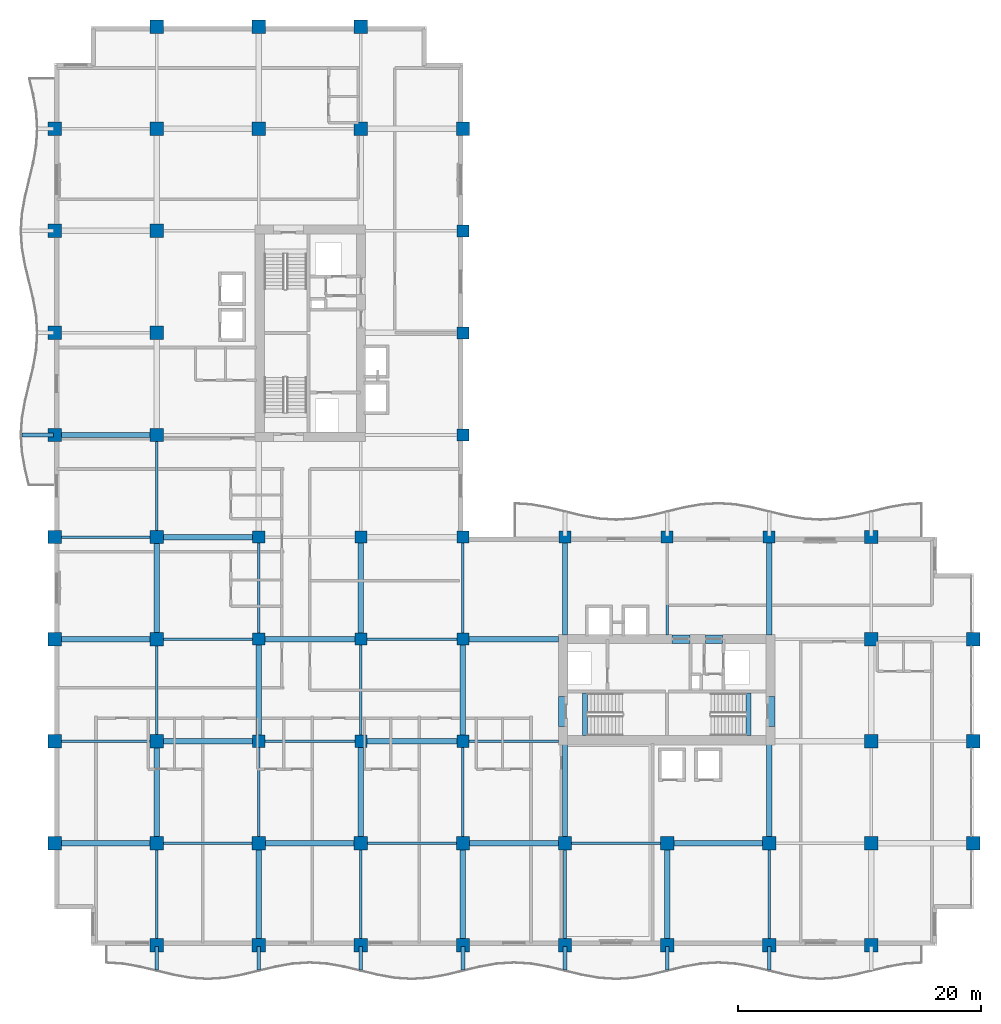
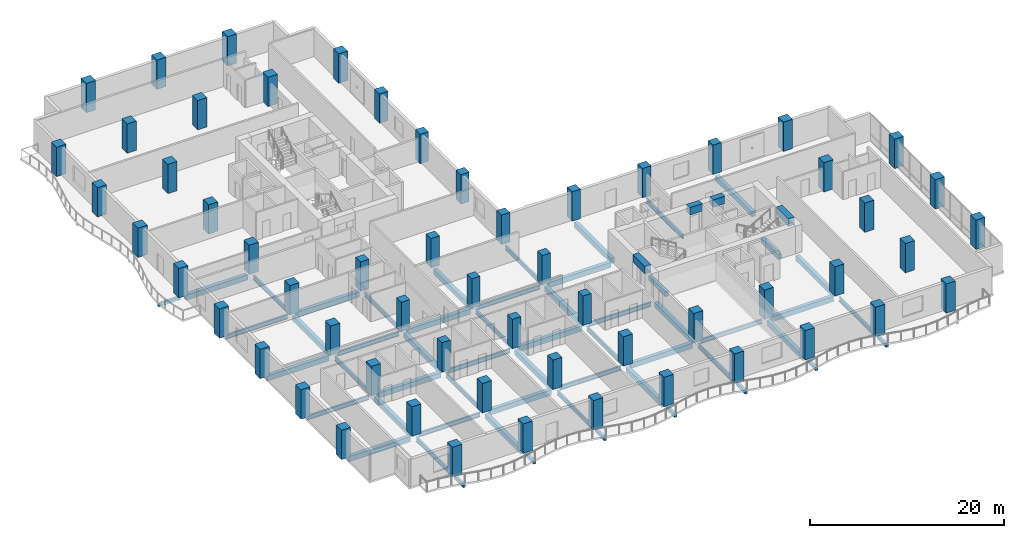
# One storey, part 1 of 22: 59 beams, 58 columns.
"""IFC4 building model written with IfcOpenShell, lengths in metres."""

from ifc_helpers import new_model, si_unit, direction, frame, origin, origin_2d, place, context, subcontext, project, spatial, rectangle, i_section, extrude, material, material_profile, profile_set, type_object, element, save


model = new_model("IFC4")

# Units and contexts
model_context = context("Model", 3, precision=1e-05, world=origin(), true_north=direction((0.0, 1.0)))
body_context = subcontext(model_context, "Body", "Model", "MODEL_VIEW")
ifc_project = project(units=[si_unit("LENGTHUNIT", "METRE"), si_unit("AREAUNIT", "SQUARE_METRE"), si_unit("VOLUMEUNIT", "CUBIC_METRE"), si_unit("PLANEANGLEUNIT", "RADIAN"), si_unit("MASSUNIT", "GRAM", prefix="KILO")], contexts=[model_context])

# Site, building, storey
site_placement = place(None, origin())
site = spatial("IfcSite", under=ifc_project, at=site_placement, CompositionType="ELEMENT")
building_placement = place(site_placement, origin())
building = spatial("IfcBuilding", under=site, at=building_placement, Name="Koriwani Terraces Tower", CompositionType="ELEMENT")
storey_placement = place(building_placement, frame((0.0, 0.0, 168.0)))
storey = spatial("IfcBuildingStorey", under=building, at=storey_placement, Name="L40", CompositionType="ELEMENT", Elevation=168.0)

# Columns
ifc_material_1 = material(Name="Concrete C50/60", Category="concrete")
ifc_material_profile_1 = material_profile(ifc_material_1, rectangle(XDim=1.0, YDim=1.0, at=origin_2d()), Name="Concrete C50/60", Category="LoadBearing")
ifc_profile_set_1 = profile_set([ifc_material_profile_1], Name="Concrete C50/60")
column_type_1 = type_object("IfcColumnType", Name="COL_RC_1000X1000", PredefinedType="COLUMN", material=ifc_profile_set_1)
for number, where, z_axis, x_axis, name in (
    (1, (16.800048828125, 16.800048828125, 0.0), (0.0, 0.0, 1.0), (1.0, 0.0, 0.0), "L40 Column 3/C"),
    (2, (16.800048828125, 25.199951171875, 0.0), (0.0, 0.0, 1.0), (1.0, 0.0, 0.0), "L40 Column 3/D"),
    (3, (16.800048828125, 33.60009765625, 0.0), (0.0, 0.0, 1.0), (1.0, 0.0, 0.0), "L40 Column 3/E"),
    (4, (25.199951171875, 16.800048828125, 0.0), (0.0, 0.0, 1.0), (1.0, 0.0, 0.0), "L40 Column 4/C"),
    (5, (25.199951171875, 25.199951171875, 0.0), (0.0, 0.0, 1.0), (1.0, 0.0, 0.0), "L40 Column 4/D"),
    (6, (25.199951171875, 33.60009765625, 0.0), (0.0, 0.0, 1.0), (1.0, 0.0, 0.0), "L40 Column 4/E"),
    (7, (33.60009765625, 16.800048828125, 0.0), (0.0, 0.0, 1.0), (1.0, 0.0, 0.0), "L40 Column 5/C"),
    (8, (33.60009765625, 25.199951171875, 0.0), (0.0, 0.0, 1.0), (1.0, 0.0, 0.0), "L40 Column 5/D"),
    (9, (33.60009765625, 33.60009765625, 0.0), (0.0, 0.0, 1.0), (1.0, 0.0, 0.0), "L40 Column 5/E"),
    (10, (33.60009765625, 42.0, 0.0), (0.0, 0.0, 1.0), (1.0, 0.0, 0.0), "L40 Column 5/F"),
    (11, (33.60009765625, 50.39990234375, 0.0), (0.0, 0.0, 1.0), (1.0, 0.0, 0.0), "L40 Column 5/G"),
    (12, (33.60009765625, 58.800048828125, 0.0), (0.0, 0.0, 1.0), (1.0, 0.0, 0.0), "L40 Column 5/H"),
    (13, (42.0, 33.60009765625, 0.0), (0.0, 0.0, 1.0), (1.0, 0.0, 0.0), "L40 Column 6/E"),
    (14, (50.39990234375, 33.60009765625, 0.0), (0.0, 0.0, 1.0), (1.0, 0.0, 0.0), "L40 Column 7/E"),
    (15, (58.800048828125, 33.60009765625, 0.0), (0.0, 0.0, 1.0), (1.0, 0.0, 0.0), "L40 Column 8/E"),
):
    element("IfcColumn", number, at=place(storey_placement, frame(where, z_axis=z_axis, x_axis=x_axis)), inside=storey, type_object=column_type_1, Name=name, PredefinedType="COLUMN", context=body_context, shape_type="SweptSolid", body=[
        extrude(rectangle(XDim=1.0, YDim=1.0, at=origin_2d()), origin(), (0.0, 0.0, 1.0), 3.699951171875),
    ])
ifc_material_profile_2 = material_profile(ifc_material_1, rectangle(XDim=1.10009765625, YDim=1.10009765625, at=origin_2d()), Name="Concrete C50/60", Category="LoadBearing")
ifc_profile_set_2 = profile_set([ifc_material_profile_2], Name="Concrete C50/60")
column_type_2 = type_object("IfcColumnType", Name="COL_RC_1100X1100", PredefinedType="COLUMN", material=ifc_profile_set_2)
for number, where, z_axis, x_axis, name in (
    (16, (0.0, 8.39990234375, 0.0), (0.0, 0.0, 1.0), (1.0, 0.0, 0.0), "L40 Column 1/B"),
    (17, (0.0, 16.800048828125, 0.0), (0.0, 0.0, 1.0), (1.0, 0.0, 0.0), "L40 Column 1/C"),
    (18, (0.0, 25.199951171875, 0.0), (0.0, 0.0, 1.0), (1.0, 0.0, 0.0), "L40 Column 1/D"),
    (19, (0.0, 33.60009765625, 0.0), (0.0, 0.0, 1.0), (1.0, 0.0, 0.0), "L40 Column 1/E"),
    (20, (0.0, 42.0, 0.0), (0.0, 0.0, 1.0), (1.0, 0.0, 0.0), "L40 Column 1/F"),
    (21, (0.0, 50.39990234375, 0.0), (0.0, 0.0, 1.0), (1.0, 0.0, 0.0), "L40 Column 1/G"),
    (22, (0.0, 58.800048828125, 0.0), (0.0, 0.0, 1.0), (1.0, 0.0, 0.0), "L40 Column 1/H"),
    (23, (0.0, 67.199951171875, 0.0), (0.0, 0.0, 1.0), (1.0, 0.0, 0.0), "L40 Column 1/I"),
    (24, (8.39990234375, 0.0, 0.0), (0.0, 0.0, 1.0), (1.0, 0.0, 0.0), "L40 Column 2/A"),
    (25, (8.39990234375, 8.39990234375, 0.0), (0.0, 0.0, 1.0), (1.0, 0.0, 0.0), "L40 Column 2/B"),
    (26, (8.39990234375, 16.800048828125, 0.0), (0.0, 0.0, 1.0), (1.0, 0.0, 0.0), "L40 Column 2/C"),
    (27, (8.39990234375, 25.199951171875, 0.0), (0.0, 0.0, 1.0), (1.0, 0.0, 0.0), "L40 Column 2/D"),
    (28, (8.39990234375, 33.60009765625, 0.0), (0.0, 0.0, 1.0), (1.0, 0.0, 0.0), "L40 Column 2/E"),
    (29, (8.39990234375, 42.0, 0.0), (0.0, 0.0, 1.0), (1.0, 0.0, 0.0), "L40 Column 2/F"),
    (30, (8.39990234375, 50.39990234375, 0.0), (0.0, 0.0, 1.0), (1.0, 0.0, 0.0), "L40 Column 2/G"),
    (31, (8.39990234375, 58.800048828125, 0.0), (0.0, 0.0, 1.0), (1.0, 0.0, 0.0), "L40 Column 2/H"),
    (32, (8.39990234375, 67.199951171875, 0.0), (0.0, 0.0, 1.0), (1.0, 0.0, 0.0), "L40 Column 2/I"),
    (33, (8.39990234375, 75.60009765625, 0.0), (0.0, 0.0, 1.0), (1.0, 0.0, 0.0), "L40 Column 2/J"),
    (34, (16.800048828125, 0.0, 0.0), (0.0, 0.0, 1.0), (1.0, 0.0, 0.0), "L40 Column 3/A"),
    (35, (16.800048828125, 8.39990234375, 0.0), (0.0, 0.0, 1.0), (1.0, 0.0, 0.0), "L40 Column 3/B"),
    (36, (16.800048828125, 67.199951171875, 0.0), (0.0, 0.0, 1.0), (1.0, 0.0, 0.0), "L40 Column 3/I"),
    (37, (16.800048828125, 75.60009765625, 0.0), (0.0, 0.0, 1.0), (1.0, 0.0, 0.0), "L40 Column 3/J"),
    (38, (25.199951171875, 0.0, 0.0), (0.0, 0.0, 1.0), (1.0, 0.0, 0.0), "L40 Column 4/A"),
    (39, (25.199951171875, 8.39990234375, 0.0), (0.0, 0.0, 1.0), (1.0, 0.0, 0.0), "L40 Column 4/B"),
    (40, (25.199951171875, 67.199951171875, 0.0), (0.0, 0.0, 1.0), (1.0, 0.0, 0.0), "L40 Column 4/I"),
    (41, (25.199951171875, 75.60009765625, 0.0), (0.0, 0.0, 1.0), (1.0, 0.0, 0.0), "L40 Column 4/J"),
    (42, (33.60009765625, 0.0, 0.0), (0.0, 0.0, 1.0), (1.0, 0.0, 0.0), "L40 Column 5/A"),
    (43, (33.60009765625, 8.39990234375, 0.0), (0.0, 0.0, 1.0), (1.0, 0.0, 0.0), "L40 Column 5/B"),
    (44, (33.60009765625, 67.199951171875, 0.0), (0.0, 0.0, 1.0), (1.0, 0.0, 0.0), "L40 Column 5/I"),
    (45, (42.0, 0.0, 0.0), (0.0, 0.0, 1.0), (1.0, 0.0, 0.0), "L40 Column 6/A"),
    (46, (42.0, 8.39990234375, 0.0), (0.0, 0.0, 1.0), (1.0, 0.0, 0.0), "L40 Column 6/B"),
    (47, (50.39990234375, 0.0, 0.0), (0.0, 0.0, 1.0), (1.0, 0.0, 0.0), "L40 Column 7/A"),
    (48, (50.39990234375, 8.39990234375, 0.0), (0.0, 0.0, 1.0), (1.0, 0.0, 0.0), "L40 Column 7/B"),
    (49, (58.800048828125, 0.0, 0.0), (0.0, 0.0, 1.0), (1.0, 0.0, 0.0), "L40 Column 8/A"),
    (50, (58.800048828125, 8.39990234375, 0.0), (0.0, 0.0, 1.0), (1.0, 0.0, 0.0), "L40 Column 8/B"),
    (51, (67.199951171875, 0.0, 0.0), (0.0, 0.0, 1.0), (1.0, 0.0, 0.0), "L40 Column 9/A"),
    (52, (67.199951171875, 8.39990234375, 0.0), (0.0, 0.0, 1.0), (1.0, 0.0, 0.0), "L40 Column 9/B"),
    (53, (67.199951171875, 16.800048828125, 0.0), (0.0, 0.0, 1.0), (1.0, 0.0, 0.0), "L40 Column 9/C"),
    (54, (67.199951171875, 25.199951171875, 0.0), (0.0, 0.0, 1.0), (1.0, 0.0, 0.0), "L40 Column 9/D"),
    (55, (67.199951171875, 33.60009765625, 0.0), (0.0, 0.0, 1.0), (1.0, 0.0, 0.0), "L40 Column 9/E"),
    (56, (75.60009765625, 8.39990234375, 0.0), (0.0, 0.0, 1.0), (1.0, 0.0, 0.0), "L40 Column 10/B"),
    (57, (75.60009765625, 16.800048828125, 0.0), (0.0, 0.0, 1.0), (1.0, 0.0, 0.0), "L40 Column 10/C"),
    (58, (75.60009765625, 25.199951171875, 0.0), (0.0, 0.0, 1.0), (1.0, 0.0, 0.0), "L40 Column 10/D"),
):
    element("IfcColumn", number, at=place(storey_placement, frame(where, z_axis=z_axis, x_axis=x_axis)), inside=storey, type_object=column_type_2, Name=name, PredefinedType="COLUMN", context=body_context, shape_type="SweptSolid", body=[
        extrude(rectangle(XDim=1.10009765625, YDim=1.10009765625, at=origin_2d()), origin(), (0.0, 0.0, 1.0), 3.699951171875),
    ])

# Beams
ifc_material_2 = material(Name="Concrete C40/50", Category="concrete")
ifc_material_profile_3 = material_profile(ifc_material_2, rectangle(XDim=0.300048828125, YDim=0.39990234375, at=origin_2d()), Name="Concrete C40/50", Category="LoadBearing")
ifc_profile_set_3 = profile_set([ifc_material_profile_3], Name="Concrete C40/50")
beam_type_1 = type_object("IfcBeamType", Name="BEAM_RC_BALCONY_RIB_300X400", PredefinedType="JOIST", material=ifc_profile_set_3)
for number, where, z_axis, x_axis, name in (
    (59, (8.39990234375, -2.02490234375, -0.429931640625), (0.0, 1.0, 0.0), (-1.0, 0.0, 0.0), "L40 Balcony Bracket Rib S-1"),
    (60, (16.800048828125, -2.02490234375, -0.429931640625), (0.0, 1.0, 0.0), (-1.0, 0.0, 0.0), "L40 Balcony Bracket Rib S-2"),
    (61, (25.199951171875, -2.02490234375, -0.429931640625), (0.0, 1.0, 0.0), (-1.0, 0.0, 0.0), "L40 Balcony Bracket Rib S-3"),
    (62, (33.60009765625, -2.02490234375, -0.429931640625), (0.0, 1.0, 0.0), (-1.0, 0.0, 0.0), "L40 Balcony Bracket Rib S-4"),
    (63, (42.0, -2.02490234375, -0.429931640625), (0.0, 1.0, 0.0), (-1.0, 0.0, 0.0), "L40 Balcony Bracket Rib S-5"),
    (64, (50.39990234375, -2.02490234375, -0.429931640625), (0.0, 1.0, 0.0), (-1.0, 0.0, 0.0), "L40 Balcony Bracket Rib S-6"),
    (65, (58.800048828125, -2.02490234375, -0.429931640625), (0.0, 1.0, 0.0), (-1.0, 0.0, 0.0), "L40 Balcony Bracket Rib S-7"),
):
    element("IfcBeam", number, at=place(storey_placement, frame(where, z_axis=z_axis, x_axis=x_axis)), inside=storey, type_object=beam_type_1, Name=name, PredefinedType="JOIST", context=body_context, shape_type="SweptSolid", body=[
        extrude(rectangle(XDim=0.300048828125, YDim=0.39990234375, at=origin_2d()), origin(), (0.0, 0.0, 1.0), 1.9248046875),
    ])
beam_1_placement = place(storey_placement, frame((-2.699951171875, 42.0, -0.429931640625), z_axis=(1.0, 0.0, 0.0), x_axis=(0.0, 1.0, 0.0)))
element("IfcBeam", 66, at=beam_1_placement, inside=storey, type_object=beam_type_1, Name="L40 Balcony Bracket Rib W-1", PredefinedType="JOIST", context=body_context, shape_type="SweptSolid", body=[
    extrude(rectangle(XDim=0.300048828125, YDim=0.39990234375, at=origin_2d()), origin(), (0.0, 0.0, 1.0), 2.599853515625),
])
ifc_material_3 = material(Name="Concrete C60/75", Category="concrete")
ifc_material_profile_4 = material_profile(ifc_material_3, rectangle(XDim=0.699951171875, YDim=0.949951171875, at=origin_2d()), Name="Concrete C60/75", Category="LoadBearing")
ifc_profile_set_4 = profile_set([ifc_material_profile_4], Name="Concrete C60/75")
beam_type_2 = type_object("IfcBeamType", Name="BEAM_RC_COUPLING_700X950", PredefinedType="LINTEL", material=ifc_profile_set_4)
beam_2_placement = place(storey_placement, frame((50.800048828125, 25.199951171875, 2.9951171875), z_axis=(1.0, 0.0, 0.0), x_axis=(0.0, 1.0, 0.0)))
element("IfcBeam", 67, at=beam_2_placement, inside=storey, type_object=beam_type_2, Name="L40 Core Coupling Lintel Beam EN1", PredefinedType="LINTEL", context=body_context, shape_type="SweptSolid", body=[
    extrude(rectangle(XDim=0.699951171875, YDim=0.949951171875, at=origin_2d()), origin(), (0.0, 0.0, 1.0), 1.47998046875),
])
beam_3_placement = place(storey_placement, frame((53.550048828125, 25.199951171875, 2.9951171875), z_axis=(1.0, 0.0, 0.0), x_axis=(0.0, 1.0, 0.0)))
element("IfcBeam", 68, at=beam_3_placement, inside=storey, type_object=beam_type_2, Name="L40 Core Coupling Lintel Beam EN2", PredefinedType="LINTEL", context=body_context, shape_type="SweptSolid", body=[
    extrude(rectangle(XDim=0.699951171875, YDim=0.949951171875, at=origin_2d()), origin(), (0.0, 0.0, 1.0), 1.39990234375),
])
for number, where, z_axis, x_axis, name in (
    (69, (41.824951171875, 18.0, 2.9951171875), (0.0, 1.0, 0.0), (-1.0, 0.0, 0.0), "L40 Core Coupling Lintel Beam EW"),
    (70, (58.925048828125, 18.0, 2.9951171875), (0.0, 1.0, 0.0), (-1.0, 0.0, 0.0), "L40 Core Coupling Lintel Beam EE"),
):
    element("IfcBeam", number, at=place(storey_placement, frame(where, z_axis=z_axis, x_axis=x_axis)), inside=storey, type_object=beam_type_2, Name=name, PredefinedType="LINTEL", context=body_context, shape_type="SweptSolid", body=[
        extrude(rectangle(XDim=0.699951171875, YDim=0.949951171875, at=origin_2d()), origin(), (0.0, 0.0, 1.0), 2.5),
    ])
ifc_material_profile_5 = material_profile(ifc_material_2, rectangle(XDim=0.39990234375, YDim=0.60009765625, at=origin_2d()), Name="Concrete C40/50", Category="LoadBearing")
ifc_profile_set_5 = profile_set([ifc_material_profile_5], Name="Concrete C40/50")
beam_type_3 = type_object("IfcBeamType", Name="BEAM_RC_GRID_400X600", PredefinedType="BEAM", material=ifc_profile_set_5)
for number, where, z_axis, x_axis, name in (
    (71, (43.655029296875, 17.25, -0.300048828125), (0.0, 1.0, 0.0), (-1.0, 0.0, 0.0), "L40 Stairwell Header Trimmer Beam ST-E1"),
    (72, (57.094970703125, 17.25, -0.300048828125), (0.0, 1.0, 0.0), (-1.0, 0.0, 0.0), "L40 Stairwell Header Trimmer Beam ST-E2"),
):
    element("IfcBeam", number, at=place(storey_placement, frame(where, z_axis=z_axis, x_axis=x_axis)), inside=storey, type_object=beam_type_3, Name=name, PredefinedType="BEAM", context=body_context, shape_type="SweptSolid", body=[
        extrude(rectangle(XDim=0.39990234375, YDim=0.60009765625, at=origin_2d()), origin(), (0.0, 0.0, 1.0), 3.5),
    ])
ifc_material_profile_6 = material_profile(ifc_material_1, rectangle(XDim=0.449951171875, YDim=0.64990234375, at=origin_2d()), Name="Concrete C50/60", Category="LoadBearing")
ifc_profile_set_6 = profile_set([ifc_material_profile_6], Name="Concrete C50/60")
beam_type_4 = type_object("IfcBeamType", Name="BEAM_RC_GRID_450X650", PredefinedType="BEAM", material=ifc_profile_set_6)
beam_4_placement = place(storey_placement, frame((0.530029296875, 8.39990234375, -0.554931640625), z_axis=(1.0, 0.0, 0.0), x_axis=(0.0, 1.0, 0.0)))
element("IfcBeam", 73, at=beam_4_placement, inside=storey, type_object=beam_type_4, Name="L40 Grid Beam B (0.0-8.4m)", PredefinedType="BEAM", context=body_context, shape_type="SweptSolid", body=[
    extrude(rectangle(XDim=0.449951171875, YDim=0.64990234375, at=origin_2d()), origin(), (0.0, 0.0, 1.0), 7.340087890625),
])
beam_5_placement = place(storey_placement, frame((17.330078125, 8.39990234375, -0.554931640625), z_axis=(1.0, 0.0, 0.0), x_axis=(0.0, 1.0, 0.0)))
element("IfcBeam", 74, at=beam_5_placement, inside=storey, type_object=beam_type_4, Name="L40 Grid Beam B (16.8-25.2m)", PredefinedType="BEAM", context=body_context, shape_type="SweptSolid", body=[
    extrude(rectangle(XDim=0.449951171875, YDim=0.64990234375, at=origin_2d()), origin(), (0.0, 0.0, 1.0), 7.33984375),
])
for number, where, z_axis, x_axis, name in (
    (75, (34.1298828125, 8.39990234375, -0.554931640625), (1.0, 0.0, 0.0), (0.0, 1.0, 0.0), "L40 Grid Beam B (33.6-42.0m)"),
    (76, (50.929931640625, 8.39990234375, -0.554931640625), (1.0, 0.0, 0.0), (0.0, 1.0, 0.0), "L40 Grid Beam B (50.4-58.8m)"),
):
    element("IfcBeam", number, at=place(storey_placement, frame(where, z_axis=z_axis, x_axis=x_axis)), inside=storey, type_object=beam_type_4, Name=name, PredefinedType="BEAM", context=body_context, shape_type="SweptSolid", body=[
        extrude(rectangle(XDim=0.449951171875, YDim=0.64990234375, at=origin_2d()), origin(), (0.0, 0.0, 1.0), 7.340087890625),
    ])
beam_6_placement = place(storey_placement, frame((8.929931640625, 16.800048828125, -0.554931640625), z_axis=(1.0, 0.0, 0.0), x_axis=(0.0, 1.0, 0.0)))
element("IfcBeam", 77, at=beam_6_placement, inside=storey, type_object=beam_type_4, Name="L40 Grid Beam C (8.4-16.8m)", PredefinedType="BEAM", context=body_context, shape_type="SweptSolid", body=[
    extrude(rectangle(XDim=0.449951171875, YDim=0.64990234375, at=origin_2d()), origin(), (0.0, 0.0, 1.0), 7.39013671875),
])
beam_7_placement = place(storey_placement, frame((25.679931640625, 16.800048828125, -0.554931640625), z_axis=(1.0, 0.0, 0.0), x_axis=(0.0, 1.0, 0.0)))
element("IfcBeam", 78, at=beam_7_placement, inside=storey, type_object=beam_type_4, Name="L40 Grid Beam C (25.2-33.6m)", PredefinedType="BEAM", context=body_context, shape_type="SweptSolid", body=[
    extrude(rectangle(XDim=0.449951171875, YDim=0.64990234375, at=origin_2d()), origin(), (0.0, 0.0, 1.0), 7.440185546875),
])
beam_8_placement = place(storey_placement, frame((0.530029296875, 25.199951171875, -0.554931640625), z_axis=(1.0, 0.0, 0.0), x_axis=(0.0, 1.0, 0.0)))
element("IfcBeam", 79, at=beam_8_placement, inside=storey, type_object=beam_type_4, Name="L40 Grid Beam D (0.0-8.4m)", PredefinedType="BEAM", context=body_context, shape_type="SweptSolid", body=[
    extrude(rectangle(XDim=0.449951171875, YDim=0.64990234375, at=origin_2d()), origin(), (0.0, 0.0, 1.0), 7.340087890625),
])
beam_9_placement = place(storey_placement, frame((17.280029296875, 25.199951171875, -0.554931640625), z_axis=(1.0, 0.0, 0.0), x_axis=(0.0, 1.0, 0.0)))
element("IfcBeam", 80, at=beam_9_placement, inside=storey, type_object=beam_type_4, Name="L40 Grid Beam D (16.8-25.2m)", PredefinedType="BEAM", context=body_context, shape_type="SweptSolid", body=[
    extrude(rectangle(XDim=0.449951171875, YDim=0.64990234375, at=origin_2d()), origin(), (0.0, 0.0, 1.0), 7.43994140625),
])
beam_10_placement = place(storey_placement, frame((34.080078125, 25.199951171875, -0.554931640625), z_axis=(1.0, 0.0, 0.0), x_axis=(0.0, 1.0, 0.0)))
element("IfcBeam", 81, at=beam_10_placement, inside=storey, type_object=beam_type_4, Name="L40 Grid Beam D (33.6-42.0m)", PredefinedType="BEAM", context=body_context, shape_type="SweptSolid", body=[
    extrude(rectangle(XDim=0.449951171875, YDim=0.64990234375, at=origin_2d()), origin(), (0.0, 0.0, 1.0), 7.389892578125),
])
beam_11_placement = place(storey_placement, frame((8.929931640625, 33.60009765625, -0.554931640625), z_axis=(1.0, 0.0, 0.0), x_axis=(0.0, 1.0, 0.0)))
element("IfcBeam", 82, at=beam_11_placement, inside=storey, type_object=beam_type_4, Name="L40 Grid Beam E (8.4-16.8m)", PredefinedType="BEAM", context=body_context, shape_type="SweptSolid", body=[
    extrude(rectangle(XDim=0.449951171875, YDim=0.64990234375, at=origin_2d()), origin(), (0.0, 0.0, 1.0), 7.39013671875),
])
for number, where, z_axis, x_axis, name in (
    (83, (0.530029296875, 42.0, -0.554931640625), (1.0, 0.0, 0.0), (0.0, 1.0, 0.0), "L40 Grid Beam F (0.0-8.4m)"),
    (84, (8.39990234375, 8.929931640625, -0.554931640625), (0.0, 1.0, 0.0), (-1.0, 0.0, 0.0), "L40 Grid Beam 2 (8.4-16.8m)"),
    (85, (8.39990234375, 25.72998046875, -0.554931640625), (0.0, 1.0, 0.0), (-1.0, 0.0, 0.0), "L40 Grid Beam 2 (25.2-33.6m)"),
    (86, (16.800048828125, 0.530029296875, -0.554931640625), (0.0, 1.0, 0.0), (-1.0, 0.0, 0.0), "L40 Grid Beam 3 (0.0-8.4m)"),
):
    element("IfcBeam", number, at=place(storey_placement, frame(where, z_axis=z_axis, x_axis=x_axis)), inside=storey, type_object=beam_type_4, Name=name, PredefinedType="BEAM", context=body_context, shape_type="SweptSolid", body=[
        extrude(rectangle(XDim=0.449951171875, YDim=0.64990234375, at=origin_2d()), origin(), (0.0, 0.0, 1.0), 7.340087890625),
    ])
beam_12_placement = place(storey_placement, frame((16.800048828125, 17.280029296875, -0.554931640625), z_axis=(0.0, 1.0, 0.0), x_axis=(-1.0, 0.0, 0.0)))
element("IfcBeam", 87, at=beam_12_placement, inside=storey, type_object=beam_type_4, Name="L40 Grid Beam 3 (16.8-25.2m)", PredefinedType="BEAM", context=body_context, shape_type="SweptSolid", body=[
    extrude(rectangle(XDim=0.449951171875, YDim=0.64990234375, at=origin_2d()), origin(), (0.0, 0.0, 1.0), 7.43994140625),
])
beam_13_placement = place(storey_placement, frame((25.199951171875, 8.929931640625, -0.554931640625), z_axis=(0.0, 1.0, 0.0), x_axis=(-1.0, 0.0, 0.0)))
element("IfcBeam", 88, at=beam_13_placement, inside=storey, type_object=beam_type_4, Name="L40 Grid Beam 4 (8.4-16.8m)", PredefinedType="BEAM", context=body_context, shape_type="SweptSolid", body=[
    extrude(rectangle(XDim=0.449951171875, YDim=0.64990234375, at=origin_2d()), origin(), (0.0, 0.0, 1.0), 7.39013671875),
])
beam_14_placement = place(storey_placement, frame((25.199951171875, 25.679931640625, -0.554931640625), z_axis=(0.0, 1.0, 0.0), x_axis=(-1.0, 0.0, 0.0)))
element("IfcBeam", 89, at=beam_14_placement, inside=storey, type_object=beam_type_4, Name="L40 Grid Beam 4 (25.2-33.6m)", PredefinedType="BEAM", context=body_context, shape_type="SweptSolid", body=[
    extrude(rectangle(XDim=0.449951171875, YDim=0.64990234375, at=origin_2d()), origin(), (0.0, 0.0, 1.0), 7.440185546875),
])
beam_15_placement = place(storey_placement, frame((33.60009765625, 0.530029296875, -0.554931640625), z_axis=(0.0, 1.0, 0.0), x_axis=(-1.0, 0.0, 0.0)))
element("IfcBeam", 90, at=beam_15_placement, inside=storey, type_object=beam_type_4, Name="L40 Grid Beam 5 (0.0-8.4m)", PredefinedType="BEAM", context=body_context, shape_type="SweptSolid", body=[
    extrude(rectangle(XDim=0.449951171875, YDim=0.64990234375, at=origin_2d()), origin(), (0.0, 0.0, 1.0), 7.340087890625),
])
beam_16_placement = place(storey_placement, frame((33.60009765625, 17.280029296875, -0.554931640625), z_axis=(0.0, 1.0, 0.0), x_axis=(-1.0, 0.0, 0.0)))
element("IfcBeam", 91, at=beam_16_placement, inside=storey, type_object=beam_type_4, Name="L40 Grid Beam 5 (16.8-25.2m)", PredefinedType="BEAM", context=body_context, shape_type="SweptSolid", body=[
    extrude(rectangle(XDim=0.449951171875, YDim=0.64990234375, at=origin_2d()), origin(), (0.0, 0.0, 1.0), 7.43994140625),
])
beam_17_placement = place(storey_placement, frame((42.0, 8.929931640625, -0.554931640625), z_axis=(0.0, 1.0, 0.0), x_axis=(-1.0, 0.0, 0.0)))
element("IfcBeam", 92, at=beam_17_placement, inside=storey, type_object=beam_type_4, Name="L40 Grid Beam 6 (8.4-16.8m)", PredefinedType="BEAM", context=body_context, shape_type="SweptSolid", body=[
    extrude(rectangle(XDim=0.449951171875, YDim=0.64990234375, at=origin_2d()), origin(), (0.0, 0.0, 1.0), 7.590087890625),
])
beam_18_placement = place(storey_placement, frame((42.0, 25.554931640625, -0.554931640625), z_axis=(0.0, 1.0, 0.0), x_axis=(-1.0, 0.0, 0.0)))
element("IfcBeam", 93, at=beam_18_placement, inside=storey, type_object=beam_type_4, Name="L40 Grid Beam 6 (25.2-33.6m)", PredefinedType="BEAM", context=body_context, shape_type="SweptSolid", body=[
    extrude(rectangle(XDim=0.449951171875, YDim=0.64990234375, at=origin_2d()), origin(), (0.0, 0.0, 1.0), 7.565185546875),
])
beam_19_placement = place(storey_placement, frame((50.39990234375, 0.530029296875, -0.554931640625), z_axis=(0.0, 1.0, 0.0), x_axis=(-1.0, 0.0, 0.0)))
element("IfcBeam", 94, at=beam_19_placement, inside=storey, type_object=beam_type_4, Name="L40 Grid Beam 7 (0.0-8.4m)", PredefinedType="BEAM", context=body_context, shape_type="SweptSolid", body=[
    extrude(rectangle(XDim=0.449951171875, YDim=0.64990234375, at=origin_2d()), origin(), (0.0, 0.0, 1.0), 7.340087890625),
])
beam_20_placement = place(storey_placement, frame((58.800048828125, 8.929931640625, -0.554931640625), z_axis=(0.0, 1.0, 0.0), x_axis=(-1.0, 0.0, 0.0)))
element("IfcBeam", 95, at=beam_20_placement, inside=storey, type_object=beam_type_4, Name="L40 Grid Beam 8 (8.4-16.8m)", PredefinedType="BEAM", context=body_context, shape_type="SweptSolid", body=[
    extrude(rectangle(XDim=0.449951171875, YDim=0.64990234375, at=origin_2d()), origin(), (0.0, 0.0, 1.0), 7.590087890625),
])
beam_21_placement = place(storey_placement, frame((58.800048828125, 25.554931640625, -0.554931640625), z_axis=(0.0, 1.0, 0.0), x_axis=(-1.0, 0.0, 0.0)))
element("IfcBeam", 96, at=beam_21_placement, inside=storey, type_object=beam_type_4, Name="L40 Grid Beam 8 (25.2-33.6m)", PredefinedType="BEAM", context=body_context, shape_type="SweptSolid", body=[
    extrude(rectangle(XDim=0.449951171875, YDim=0.64990234375, at=origin_2d()), origin(), (0.0, 0.0, 1.0), 7.565185546875),
])
ifc_material_4 = material(Name="Steel ASTM A572 Grade 50", Category="steel")
ifc_material_profile_7 = material_profile(ifc_material_4, i_section(OverallWidth=0.2119140625, OverallDepth=0.54296875, WebThickness=0.0126953125, FlangeThickness=0.021240234375, at=origin_2d()), Name="Steel ASTM A572 Grade 50", Category="LoadBearing")
ifc_profile_set_7 = profile_set([ifc_material_profile_7], Name="Steel ASTM A572 Grade 50")
beam_type_5 = type_object("IfcBeamType", Name="STEEL_BEAM_W530X150", PredefinedType="BEAM", material=ifc_profile_set_7)
for number, where, z_axis, x_axis, name in (
    (97, (8.929931640625, 8.39990234375, -0.50146484375), (1.0, 0.0, 0.0), (0.0, 1.0, 0.0), "L40 Grid Beam B (8.4-16.8m)"),
    (98, (25.72998046875, 8.39990234375, -0.50146484375), (1.0, 0.0, 0.0), (0.0, 1.0, 0.0), "L40 Grid Beam B (25.2-33.6m)"),
    (99, (42.530029296875, 8.39990234375, -0.50146484375), (1.0, 0.0, 0.0), (0.0, 1.0, 0.0), "L40 Grid Beam B (42.0-50.4m)"),
    (100, (0.530029296875, 16.800048828125, -0.50146484375), (1.0, 0.0, 0.0), (0.0, 1.0, 0.0), "L40 Grid Beam C (0.0-8.4m)"),
):
    element("IfcBeam", number, at=place(storey_placement, frame(where, z_axis=z_axis, x_axis=x_axis)), inside=storey, type_object=beam_type_5, Name=name, PredefinedType="BEAM", context=body_context, shape_type="SweptSolid", body=[
        extrude(i_section(OverallWidth=0.2119140625, OverallDepth=0.54296875, WebThickness=0.0126953125, FlangeThickness=0.021240234375, at=origin_2d()), origin(), (0.0, 0.0, 1.0), 7.340087890625),
    ])
beam_22_placement = place(storey_placement, frame((17.280029296875, 16.800048828125, -0.50146484375), z_axis=(1.0, 0.0, 0.0), x_axis=(0.0, 1.0, 0.0)))
element("IfcBeam", 101, at=beam_22_placement, inside=storey, type_object=beam_type_5, Name="L40 Grid Beam C (16.8-25.2m)", PredefinedType="BEAM", context=body_context, shape_type="SweptSolid", body=[
    extrude(i_section(OverallWidth=0.2119140625, OverallDepth=0.54296875, WebThickness=0.0126953125, FlangeThickness=0.021240234375, at=origin_2d()), origin(), (0.0, 0.0, 1.0), 7.43994140625),
])
beam_23_placement = place(storey_placement, frame((34.080078125, 16.800048828125, -0.50146484375), z_axis=(1.0, 0.0, 0.0), x_axis=(0.0, 1.0, 0.0)))
element("IfcBeam", 102, at=beam_23_placement, inside=storey, type_object=beam_type_5, Name="L40 Grid Beam C (33.6-42.0m)", PredefinedType="BEAM", context=body_context, shape_type="SweptSolid", body=[
    extrude(i_section(OverallWidth=0.2119140625, OverallDepth=0.54296875, WebThickness=0.0126953125, FlangeThickness=0.021240234375, at=origin_2d()), origin(), (0.0, 0.0, 1.0), 7.389892578125),
])
beam_24_placement = place(storey_placement, frame((8.929931640625, 25.199951171875, -0.50146484375), z_axis=(1.0, 0.0, 0.0), x_axis=(0.0, 1.0, 0.0)))
element("IfcBeam", 103, at=beam_24_placement, inside=storey, type_object=beam_type_5, Name="L40 Grid Beam D (8.4-16.8m)", PredefinedType="BEAM", context=body_context, shape_type="SweptSolid", body=[
    extrude(i_section(OverallWidth=0.2119140625, OverallDepth=0.54296875, WebThickness=0.0126953125, FlangeThickness=0.021240234375, at=origin_2d()), origin(), (0.0, 0.0, 1.0), 7.39013671875),
])
beam_25_placement = place(storey_placement, frame((25.679931640625, 25.199951171875, -0.50146484375), z_axis=(1.0, 0.0, 0.0), x_axis=(0.0, 1.0, 0.0)))
element("IfcBeam", 104, at=beam_25_placement, inside=storey, type_object=beam_type_5, Name="L40 Grid Beam D (25.2-33.6m)", PredefinedType="BEAM", context=body_context, shape_type="SweptSolid", body=[
    extrude(i_section(OverallWidth=0.2119140625, OverallDepth=0.54296875, WebThickness=0.0126953125, FlangeThickness=0.021240234375, at=origin_2d()), origin(), (0.0, 0.0, 1.0), 7.440185546875),
])
for number, where, z_axis, x_axis, name in (
    (105, (0.530029296875, 33.60009765625, -0.50146484375), (1.0, 0.0, 0.0), (0.0, 1.0, 0.0), "L40 Grid Beam E (0.0-8.4m)"),
    (106, (8.39990234375, 0.530029296875, -0.50146484375), (0.0, 1.0, 0.0), (-1.0, 0.0, 0.0), "L40 Grid Beam 2 (0.0-8.4m)"),
):
    element("IfcBeam", number, at=place(storey_placement, frame(where, z_axis=z_axis, x_axis=x_axis)), inside=storey, type_object=beam_type_5, Name=name, PredefinedType="BEAM", context=body_context, shape_type="SweptSolid", body=[
        extrude(i_section(OverallWidth=0.2119140625, OverallDepth=0.54296875, WebThickness=0.0126953125, FlangeThickness=0.021240234375, at=origin_2d()), origin(), (0.0, 0.0, 1.0), 7.340087890625),
    ])
beam_26_placement = place(storey_placement, frame((8.39990234375, 17.330078125, -0.50146484375), z_axis=(0.0, 1.0, 0.0), x_axis=(-1.0, 0.0, 0.0)))
element("IfcBeam", 107, at=beam_26_placement, inside=storey, type_object=beam_type_5, Name="L40 Grid Beam 2 (16.8-25.2m)", PredefinedType="BEAM", context=body_context, shape_type="SweptSolid", body=[
    extrude(i_section(OverallWidth=0.2119140625, OverallDepth=0.54296875, WebThickness=0.0126953125, FlangeThickness=0.021240234375, at=origin_2d()), origin(), (0.0, 0.0, 1.0), 7.33984375),
])
beam_27_placement = place(storey_placement, frame((8.39990234375, 34.1298828125, -0.50146484375), z_axis=(0.0, 1.0, 0.0), x_axis=(-1.0, 0.0, 0.0)))
element("IfcBeam", 108, at=beam_27_placement, inside=storey, type_object=beam_type_5, Name="L40 Grid Beam 2 (33.6-42.0m)", PredefinedType="BEAM", context=body_context, shape_type="SweptSolid", body=[
    extrude(i_section(OverallWidth=0.2119140625, OverallDepth=0.54296875, WebThickness=0.0126953125, FlangeThickness=0.021240234375, at=origin_2d()), origin(), (0.0, 0.0, 1.0), 7.340087890625),
])
beam_28_placement = place(storey_placement, frame((16.800048828125, 8.929931640625, -0.50146484375), z_axis=(0.0, 1.0, 0.0), x_axis=(-1.0, 0.0, 0.0)))
element("IfcBeam", 109, at=beam_28_placement, inside=storey, type_object=beam_type_5, Name="L40 Grid Beam 3 (8.4-16.8m)", PredefinedType="BEAM", context=body_context, shape_type="SweptSolid", body=[
    extrude(i_section(OverallWidth=0.2119140625, OverallDepth=0.54296875, WebThickness=0.0126953125, FlangeThickness=0.021240234375, at=origin_2d()), origin(), (0.0, 0.0, 1.0), 7.39013671875),
])
beam_29_placement = place(storey_placement, frame((16.800048828125, 25.679931640625, -0.50146484375), z_axis=(0.0, 1.0, 0.0), x_axis=(-1.0, 0.0, 0.0)))
element("IfcBeam", 110, at=beam_29_placement, inside=storey, type_object=beam_type_5, Name="L40 Grid Beam 3 (25.2-33.6m)", PredefinedType="BEAM", context=body_context, shape_type="SweptSolid", body=[
    extrude(i_section(OverallWidth=0.2119140625, OverallDepth=0.54296875, WebThickness=0.0126953125, FlangeThickness=0.021240234375, at=origin_2d()), origin(), (0.0, 0.0, 1.0), 7.440185546875),
])
beam_30_placement = place(storey_placement, frame((25.199951171875, 0.530029296875, -0.50146484375), z_axis=(0.0, 1.0, 0.0), x_axis=(-1.0, 0.0, 0.0)))
element("IfcBeam", 111, at=beam_30_placement, inside=storey, type_object=beam_type_5, Name="L40 Grid Beam 4 (0.0-8.4m)", PredefinedType="BEAM", context=body_context, shape_type="SweptSolid", body=[
    extrude(i_section(OverallWidth=0.2119140625, OverallDepth=0.54296875, WebThickness=0.0126953125, FlangeThickness=0.021240234375, at=origin_2d()), origin(), (0.0, 0.0, 1.0), 7.340087890625),
])
beam_31_placement = place(storey_placement, frame((25.199951171875, 17.280029296875, -0.50146484375), z_axis=(0.0, 1.0, 0.0), x_axis=(-1.0, 0.0, 0.0)))
element("IfcBeam", 112, at=beam_31_placement, inside=storey, type_object=beam_type_5, Name="L40 Grid Beam 4 (16.8-25.2m)", PredefinedType="BEAM", context=body_context, shape_type="SweptSolid", body=[
    extrude(i_section(OverallWidth=0.2119140625, OverallDepth=0.54296875, WebThickness=0.0126953125, FlangeThickness=0.021240234375, at=origin_2d()), origin(), (0.0, 0.0, 1.0), 7.43994140625),
])
beam_32_placement = place(storey_placement, frame((33.60009765625, 8.929931640625, -0.50146484375), z_axis=(0.0, 1.0, 0.0), x_axis=(-1.0, 0.0, 0.0)))
element("IfcBeam", 113, at=beam_32_placement, inside=storey, type_object=beam_type_5, Name="L40 Grid Beam 5 (8.4-16.8m)", PredefinedType="BEAM", context=body_context, shape_type="SweptSolid", body=[
    extrude(i_section(OverallWidth=0.2119140625, OverallDepth=0.54296875, WebThickness=0.0126953125, FlangeThickness=0.021240234375, at=origin_2d()), origin(), (0.0, 0.0, 1.0), 7.39013671875),
])
beam_33_placement = place(storey_placement, frame((33.60009765625, 25.679931640625, -0.50146484375), z_axis=(0.0, 1.0, 0.0), x_axis=(-1.0, 0.0, 0.0)))
element("IfcBeam", 114, at=beam_33_placement, inside=storey, type_object=beam_type_5, Name="L40 Grid Beam 5 (25.2-33.6m)", PredefinedType="BEAM", context=body_context, shape_type="SweptSolid", body=[
    extrude(i_section(OverallWidth=0.2119140625, OverallDepth=0.54296875, WebThickness=0.0126953125, FlangeThickness=0.021240234375, at=origin_2d()), origin(), (0.0, 0.0, 1.0), 7.440185546875),
])
beam_34_placement = place(storey_placement, frame((42.0, 0.530029296875, -0.50146484375), z_axis=(0.0, 1.0, 0.0), x_axis=(-1.0, 0.0, 0.0)))
element("IfcBeam", 115, at=beam_34_placement, inside=storey, type_object=beam_type_5, Name="L40 Grid Beam 6 (0.0-8.4m)", PredefinedType="BEAM", context=body_context, shape_type="SweptSolid", body=[
    extrude(i_section(OverallWidth=0.2119140625, OverallDepth=0.54296875, WebThickness=0.0126953125, FlangeThickness=0.021240234375, at=origin_2d()), origin(), (0.0, 0.0, 1.0), 7.340087890625),
])
beam_35_placement = place(storey_placement, frame((50.39990234375, 25.554931640625, -0.50146484375), z_axis=(0.0, 1.0, 0.0), x_axis=(-1.0, 0.0, 0.0)))
element("IfcBeam", 116, at=beam_35_placement, inside=storey, type_object=beam_type_5, Name="L40 Grid Beam 7 (25.2-33.6m)", PredefinedType="BEAM", context=body_context, shape_type="SweptSolid", body=[
    extrude(i_section(OverallWidth=0.2119140625, OverallDepth=0.54296875, WebThickness=0.0126953125, FlangeThickness=0.021240234375, at=origin_2d()), origin(), (0.0, 0.0, 1.0), 7.565185546875),
])
beam_36_placement = place(storey_placement, frame((58.800048828125, 0.530029296875, -0.50146484375), z_axis=(0.0, 1.0, 0.0), x_axis=(-1.0, 0.0, 0.0)))
element("IfcBeam", 117, at=beam_36_placement, inside=storey, type_object=beam_type_5, Name="L40 Grid Beam 8 (0.0-8.4m)", PredefinedType="BEAM", context=body_context, shape_type="SweptSolid", body=[
    extrude(i_section(OverallWidth=0.2119140625, OverallDepth=0.54296875, WebThickness=0.0126953125, FlangeThickness=0.021240234375, at=origin_2d()), origin(), (0.0, 0.0, 1.0), 7.340087890625),
])

save(model, "model.ifc")
